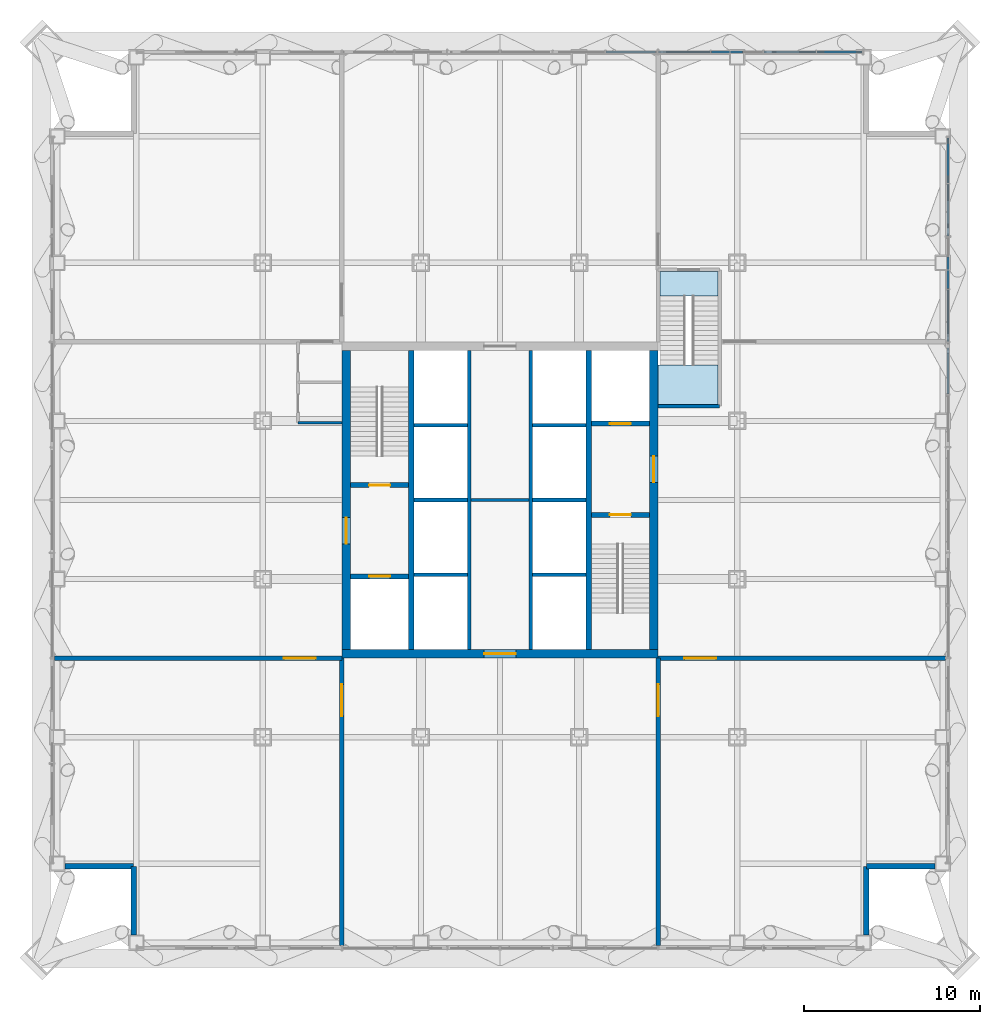
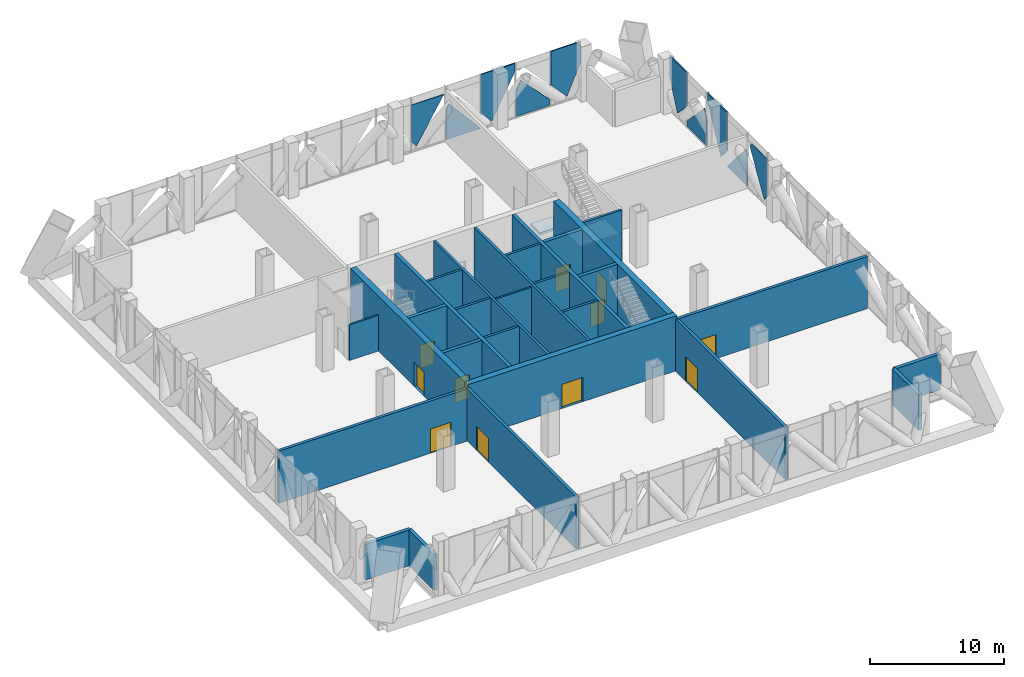
# One storey, part 14 of 26: 28 walls, 11 doors, 10 plates, 2 slabs, 11 openings, 3 elements without a shape of their own.
"""IFC4 building model written with IfcOpenShell, lengths in metres."""

import ifcopenshell
import ifcopenshell.guid

model = None  # the IFC model being written
_history = None  # IfcOwnerHistory: only IFC2X3 demands one
_inside = {}  # id of a spatial element -> (the spatial element, [elements in it])
_under = {}  # id of a project, library or spatial element -> (it, [spatial elements below it])
_declared = {}  # id of a project -> (the project, [libraries it declares])
_typed = {}  # id of a type object -> (the type object, [elements of that type])
_made_of = {}  # id of a material, layer set ... -> (it, [elements and type objects made of it])


def new_model(schema):
    """Start an empty IFC model of exactly this schema.

    Asked for "IFC4X3", IfcOpenShell would pick the latest addendum, in which some entities
    have other attributes; the version numbers below select the first issue.
    IFC2X3 requires an IfcOwnerHistory on every rooted entity: one is made here for all.
    """
    global model, _history
    if schema == "IFC4X3":
        model = ifcopenshell.file(schema_version=(4, 3, 0, 0))
    else:
        model = ifcopenshell.file(schema=schema)
    _inside.clear()
    _under.clear()
    _declared.clear()
    _typed.clear()
    _made_of.clear()
    _history = None
    if model.schema == "IFC2X3":
        org = make("IfcOrganization", Name="unknown")
        user = make(
            "IfcPersonAndOrganization",
            ThePerson=make("IfcPerson", FamilyName="unknown"),
            TheOrganization=org,
        )
        app = make(
            "IfcApplication",
            ApplicationDeveloper=org,
            Version="unknown",
            ApplicationFullName="unknown",
            ApplicationIdentifier="unknown",
        )
        _history = make(
            "IfcOwnerHistory",
            OwningUser=user,
            OwningApplication=app,
            ChangeAction="ADDED",
            CreationDate=0,
        )
    return model


def make(cls, **values):
    """One entity of the class cls with the attributes given. An attribute that is None is left unset."""
    return model.create_entity(
        cls, **{name: value for name, value in values.items() if value is not None}
    )


def rooted(cls, **values):
    """An entity with a GlobalId (a new one), such as an element, a storey or a relation."""
    return make(cls, GlobalId=ifcopenshell.guid.new(), OwnerHistory=_history, **values)


def si_unit(unit_type, name, prefix=None):
    """IfcSIUnit, for example si_unit("LENGTHUNIT", "METRE", prefix="MILLI")."""
    return make("IfcSIUnit", UnitType=unit_type, Prefix=prefix, Name=name)


def assignment(units):
    """IfcUnitAssignment: the units of a project."""
    return None if units is None else make("IfcUnitAssignment", Units=units)


def point(xyz):
    """IfcCartesianPoint."""
    return None if xyz is None else make("IfcCartesianPoint", Coordinates=xyz)


def direction(xyz):
    """IfcDirection."""
    return None if xyz is None else make("IfcDirection", DirectionRatios=xyz)


def frame(location, z_axis=None, x_axis=None):
    """IfcAxis2Placement3D, a coordinate frame: its origin and axes. An axis left out is left unset."""
    return make(
        "IfcAxis2Placement3D",
        Location=point(location),
        Axis=direction(z_axis),
        RefDirection=direction(x_axis),
    )


def frame_2d(location, x_axis=None):
    """IfcAxis2Placement2D, a coordinate frame in the plane: its origin and x axis."""
    return make(
        "IfcAxis2Placement2D", Location=point(location), RefDirection=direction(x_axis)
    )


def origin():
    """The frame at (0, 0, 0) with its axes left unset."""
    return frame((0.0, 0.0, 0.0))


def place(relative_to, where):
    """IfcLocalPlacement: puts the frame where relative to a parent placement (None: the world)."""
    return make(
        "IfcLocalPlacement", PlacementRelTo=relative_to, RelativePlacement=where
    )


def context(
    kind, dimensions, precision=None, world=None, true_north=None, identifier=None
):
    """IfcGeometricRepresentationContext, for example the 3D "Model" context."""
    return make(
        "IfcGeometricRepresentationContext",
        ContextIdentifier=identifier,
        ContextType=kind,
        CoordinateSpaceDimension=dimensions,
        Precision=precision,
        WorldCoordinateSystem=world,
        TrueNorth=true_north,
    )


def subcontext(parent, identifier, kind, view, scale=None):
    """IfcGeometricRepresentationSubContext, for example "Body" below "Model"."""
    return make(
        "IfcGeometricRepresentationSubContext",
        ContextIdentifier=identifier,
        ContextType=kind,
        ParentContext=parent,
        TargetScale=scale,
        TargetView=view,
    )


def project(units=None, contexts=None):
    """IfcProject with its units and contexts."""
    return rooted(
        "IfcProject",
        Name="project",
        RepresentationContexts=contexts,
        UnitsInContext=assignment(units),
    )


def spatial(cls, under=None, at=None, **own):
    """A site, building, storey or space (cls), placed at a placement, below another one or the project."""
    s = rooted(cls, ObjectPlacement=at, **own)
    if under is not None:
        _under.setdefault(under.id(), (under, []))[1].append(s)
    return s


def polyline(points):
    """IfcPolyline through the points."""
    return make("IfcPolyline", Points=[point(p) for p in points])


def profile(cls, at=None, kind="AREA", **sizes):
    """A parametric profile (cls). Its sizes go by their IFC names, for example OverallWidth=200.0."""
    return make(cls, ProfileType=kind, Position=at, **sizes)


def rectangle(**sizes):
    """IfcRectangleProfileDef."""
    return profile("IfcRectangleProfileDef", **sizes)


def outline(outer, holes=None, kind="AREA"):
    """IfcArbitraryClosedProfileDef: a profile drawn as a closed curve; with holes, ...WithVoids."""
    if holes is None:
        return make("IfcArbitraryClosedProfileDef", ProfileType=kind, OuterCurve=outer)
    return make(
        "IfcArbitraryProfileDefWithVoids",
        ProfileType=kind,
        OuterCurve=outer,
        InnerCurves=holes,
    )


def extrude(swept, where, along, depth):
    """IfcExtrudedAreaSolid: the profile swept, set in the frame where, extruded along a direction by depth."""
    return make(
        "IfcExtrudedAreaSolid",
        SweptArea=swept,
        Position=where,
        ExtrudedDirection=direction(along),
        Depth=depth,
    )


def shape(context_of_items, identifier, shape_type, items):
    """IfcShapeRepresentation: the items that make up one representation, for example the "Body"."""
    return make(
        "IfcShapeRepresentation",
        ContextOfItems=context_of_items,
        RepresentationIdentifier=identifier,
        RepresentationType=shape_type,
        Items=items,
    )


def material(Name=None, Category=None):
    """IfcMaterial."""
    return make("IfcMaterial", Name=Name, Category=Category)


def layer(
    of_material, thickness, ventilated=None, Name=None, Category=None, Priority=None
):
    """IfcMaterialLayer: one layer of a wall or slab, of a material (None: an air gap)."""
    return make(
        "IfcMaterialLayer",
        Material=of_material,
        LayerThickness=thickness,
        IsVentilated=ventilated,
        Name=Name,
        Category=Category,
        Priority=Priority,
    )


def layer_set(layers, Name=None):
    """IfcMaterialLayerSet."""
    return make("IfcMaterialLayerSet", MaterialLayers=layers, LayerSetName=Name)


def made_of(thing, what):
    """Note that an element or type object is made of a material, layer set ...; save() writes the relation."""
    if what is not None:
        _made_of.setdefault(what.id(), (what, []))[1].append(thing)
    return thing


def type_object(cls, material=None, **own):
    """A type object (cls), such as IfcWallType, which elements share."""
    return made_of(rooted(cls, **own), material)


def element(
    cls,
    number,
    at=None,
    inside=None,
    cuts=None,
    type_object=None,
    material=None,
    context=None,
    identifier="Body",
    shape_type=None,
    held_by="IfcProductDefinitionShape",
    body=None,
    shapes=None,
    **own,
):
    """One element of the class cls, such as IfcWall. Its Tag is "e" and its number.

    at: its placement. inside: the storey or other place that contains it. cuts: it is an
    opening in that element (IfcRelVoidsElement). A single representation is given by context,
    identifier, shape_type and body (its items); several are given by shapes. held_by: the class
    of the entity that holds the representations. save() writes the other relations.
    """
    e = rooted(cls, Tag="e%d" % number, ObjectPlacement=at, **own)
    if body is not None:
        shapes = [shape(context, identifier, shape_type, body)]
    if shapes is not None:
        e.Representation = make(held_by, Representations=shapes)
    if inside is not None:
        _inside.setdefault(inside.id(), (inside, []))[1].append(e)
    if cuts is not None:
        rooted(
            "IfcRelVoidsElement", RelatingBuildingElement=cuts, RelatedOpeningElement=e
        )
    if type_object is not None:
        _typed.setdefault(type_object.id(), (type_object, []))[1].append(e)
    return made_of(e, material)


def fill(opening, filler):
    """IfcRelFillsElement: the door or window that sits in an opening."""
    return rooted(
        "IfcRelFillsElement",
        RelatingOpeningElement=opening,
        RelatedBuildingElement=filler,
    )


def aggregate(whole, parts):
    """IfcRelAggregates: a whole, such as a stair, and the parts it consists of."""
    return rooted("IfcRelAggregates", RelatingObject=whole, RelatedObjects=parts)


def save(model, path):
    """Write the relations noted so far, then the file.

    IfcRelAggregates (storeys below a building ...), IfcRelContainedInSpatialStructure (elements
    in a storey), IfcRelDefinesByType, IfcRelAssociatesMaterial and IfcRelDeclares: one each for
    every whole, place, type object, material and project.
    """
    for whole, parts in _under.values():
        aggregate(whole, parts)
    for where, things in _inside.values():
        rooted(
            "IfcRelContainedInSpatialStructure",
            RelatedElements=things,
            RelatingStructure=where,
        )
    for kind, things in _typed.values():
        rooted("IfcRelDefinesByType", RelatedObjects=things, RelatingType=kind)
    for what, things in _made_of.values():
        rooted("IfcRelAssociatesMaterial", RelatedObjects=things, RelatingMaterial=what)
    for by, libraries in _declared.values():
        rooted("IfcRelDeclares", RelatingContext=by, RelatedDefinitions=libraries)
    model.write(path)


model = new_model("IFC4")

# Units and contexts
model_context = context("Model", 3, precision=1e-05, world=origin(), true_north=direction((0.0, 1.0)))
body_context = subcontext(model_context, "Body", "Model", "MODEL_VIEW")
ifc_project = project(units=[si_unit("LENGTHUNIT", "METRE"), si_unit("AREAUNIT", "SQUARE_METRE"), si_unit("VOLUMEUNIT", "CUBIC_METRE"), si_unit("PLANEANGLEUNIT", "RADIAN"), si_unit("MASSUNIT", "GRAM", prefix="KILO")], contexts=[model_context])

# Site, building, storey
site_placement = place(None, origin())
site = spatial("IfcSite", under=ifc_project, at=site_placement, CompositionType="ELEMENT")
building_placement = place(site_placement, origin())
building = spatial("IfcBuilding", under=site, at=building_placement, Name="Malebo Sky Hospital", CompositionType="ELEMENT")
storey_placement = place(building_placement, frame((0.0, 0.0, 95.0)))
storey = spatial("IfcBuildingStorey", under=building, at=storey_placement, Name="L22", CompositionType="ELEMENT", Elevation=95.0)

# Curtain wall, plates
ifc_material_1 = material(Name="Anodised aluminium, natural silver", Category="aluminium")
ifc_layer_1 = layer(ifc_material_1, 0.25)
ifc_layer_set_1 = layer_set([ifc_layer_1], Name="PLANT LOUVRE SCREEN")
curtain_wall_type = type_object("IfcCurtainWallType", Name="PLANT LOUVRE SCREEN", PredefinedType="NOTDEFINED", material=ifc_layer_set_1)
curtain_wall_1_placement = place(storey_placement, origin())
curtain_wall_1 = element("IfcCurtainWall", 1, at=curtain_wall_1_placement, inside=storey, type_object=curtain_wall_type, Name="PLANT curtain wall N", PredefinedType="NOTDEFINED")
ifc_layer_2 = layer(ifc_material_1, 0.10009765625)
ifc_layer_set_2 = layer_set([ifc_layer_2], Name="LOUVRE PANEL 100")
plate_type = type_object("IfcPlateType", Name="LOUVRE PANEL 100", PredefinedType="CURTAIN_PANEL", material=ifc_layer_set_2)
plate_1_placement = place(storey_placement, frame((67.437255859375, 87.5, 0.4189453125), z_axis=(0.0, 0.0, 1.0), x_axis=(1.0, 0.0, 0.0)))
plate_1 = element("IfcPlate", 2, at=plate_1_placement, type_object=plate_type, Name="Panel 10", PredefinedType="CURTAIN_PANEL", context=body_context, shape_type="SweptSolid", body=[
    extrude(outline(polyline([(-0.959716796875, 0.0), (1.39990234375, 3.88818359375), (-1.39990234375, 3.88818359375), (-1.39990234375, 0.567626953125), (-0.959716796875, 0.0)])), frame((0.0, 0.050048828125, 0.0), z_axis=(0.0, -1.0, 0.0), x_axis=(1.0, 0.0, 0.0)), (0.0, 0.0, 1.0), 0.10009765625),
])
plate_2_placement = place(storey_placement, frame((70.5, 87.5, 0.10009765625), z_axis=(0.0, 0.0, 1.0), x_axis=(1.0, 0.0, 0.0)))
plate_2 = element("IfcPlate", 3, at=plate_2_placement, type_object=plate_type, Name="Panel 11", PredefinedType="CURTAIN_PANEL", context=body_context, shape_type="SweptSolid", body=[
    extrude(outline(polyline([(-1.46240234375, 0.0), (1.46240234375, 0.0), (1.46240234375, 0.055419921875), (-1.20849609375, 3.162841796875), (-1.46240234375, 2.744140625), (-1.46240234375, 0.0)])), frame((0.0, 0.050048828125, 0.0), z_axis=(0.0, -1.0, 0.0), x_axis=(1.0, 0.0, 0.0)), (0.0, 0.0, 1.0), 0.10009765625),
])
plate_3_placement = place(storey_placement, frame((73.5, 87.5, 0.41943359375), z_axis=(0.0, 0.0, 1.0), x_axis=(1.0, 0.0, 0.0)))
plate_3 = element("IfcPlate", 4, at=plate_3_placement, type_object=plate_type, Name="Panel 12", PredefinedType="CURTAIN_PANEL", context=body_context, shape_type="SweptSolid", body=[
    extrude(outline(polyline([(-0.544189453125, 0.0), (1.46240234375, 3.8408203125), (1.46240234375, 4.570556640625), (-1.46240234375, 4.570556640625), (-1.46240234375, 1.068603515625), (-0.544189453125, 0.0)])), frame((0.0, 0.050048828125, 0.0), z_axis=(0.0, -1.0, 0.0), x_axis=(1.0, 0.0, 0.0)), (0.0, 0.0, 1.0), 0.10009765625),
])
plate_4_placement = place(storey_placement, frame((76.5, 87.5, 0.10009765625), z_axis=(0.0, 0.0, 1.0), x_axis=(1.0, 0.0, 0.0)))
plate_4 = element("IfcPlate", 5, at=plate_4_placement, type_object=plate_type, Name="Panel 13", PredefinedType="CURTAIN_PANEL", context=body_context, shape_type="SweptSolid", body=[
    extrude(outline(polyline([(-1.46240234375, 0.0), (1.46240234375, 0.0), (1.46240234375, 0.537109375), (-1.0146484375, 3.16162109375), (-1.46240234375, 2.304443359375), (-1.46240234375, 0.0)])), frame((0.0, 0.050048828125, 0.0), z_axis=(0.0, -1.0, 0.0), x_axis=(1.0, 0.0, 0.0)), (0.0, 0.0, 1.0), 0.10009765625),
])
plate_5_placement = place(storey_placement, frame((79.331298828125, 87.5, 0.41943359375), z_axis=(0.0, 0.0, 1.0), x_axis=(1.0, 0.0, 0.0)))
plate_5 = element("IfcPlate", 6, at=plate_5_placement, type_object=plate_type, Name="Panel 14", PredefinedType="CURTAIN_PANEL", context=body_context, shape_type="SweptSolid", body=[
    extrude(outline(polyline([(0.10400390625, 0.0), (1.293701171875, 2.715087890625), (1.293701171875, 4.570556640625), (-1.293701171875, 4.570556640625), (-1.293701171875, 1.481201171875), (0.10400390625, 0.0)])), frame((0.0, 0.050048828125, 0.0), z_axis=(0.0, -1.0, 0.0), x_axis=(1.0, 0.0, 0.0)), (0.0, 0.0, 1.0), 0.10009765625),
])
aggregate(curtain_wall_1, [plate_1, plate_2, plate_3, plate_4, plate_5])

curtain_wall_2_placement = place(storey_placement, origin())
curtain_wall_2 = element("IfcCurtainWall", 7, at=curtain_wall_2_placement, inside=storey, type_object=curtain_wall_type, Name="PLANT curtain wall E", PredefinedType="NOTDEFINED")
plate_6_placement = place(storey_placement, frame((85.5, 81.331298828125, 0.41943359375), z_axis=(0.0, 0.0, 1.0), x_axis=(0.0, -1.0, 0.0)))
plate_6 = element("IfcPlate", 8, at=plate_6_placement, type_object=plate_type, Name="Panel 1", PredefinedType="CURTAIN_PANEL", context=body_context, shape_type="SweptSolid", body=[
    extrude(outline(polyline([(-0.10400390625, 0.0), (1.293701171875, 1.481201171875), (1.293701171875, 4.570556640625), (-1.293701171875, 4.570556640625), (-1.293701171875, 2.715087890625), (-0.10400390625, 0.0)])), frame((0.0, 0.050048828125, 0.0), z_axis=(0.0, -1.0, 0.0), x_axis=(1.0, 0.0, 0.0)), (0.0, 0.0, 1.0), 0.10009765625),
])
plate_7_placement = place(storey_placement, frame((85.5, 78.5, 0.10009765625), z_axis=(0.0, 0.0, 1.0), x_axis=(0.0, -1.0, 0.0)))
plate_7 = element("IfcPlate", 9, at=plate_7_placement, type_object=plate_type, Name="Panel 2", PredefinedType="CURTAIN_PANEL", context=body_context, shape_type="SweptSolid", body=[
    extrude(outline(polyline([(-1.46240234375, 0.0), (1.46240234375, 0.0), (1.46240234375, 2.304443359375), (1.0146484375, 3.16162109375), (-1.46240234375, 0.537109375), (-1.46240234375, 0.0)])), frame((0.0, 0.050048828125, 0.0), z_axis=(0.0, -1.0, 0.0), x_axis=(1.0, 0.0, 0.0)), (0.0, 0.0, 1.0), 0.10009765625),
])
plate_8_placement = place(storey_placement, frame((85.5, 75.5, 0.41943359375), z_axis=(0.0, 0.0, 1.0), x_axis=(0.0, -1.0, 0.0)))
plate_8 = element("IfcPlate", 10, at=plate_8_placement, type_object=plate_type, Name="Panel 3", PredefinedType="CURTAIN_PANEL", context=body_context, shape_type="SweptSolid", body=[
    extrude(outline(polyline([(0.544189453125, 0.0), (1.46240234375, 1.068603515625), (1.46240234375, 4.570556640625), (-1.46240234375, 4.570556640625), (-1.46240234375, 3.8408203125), (0.544189453125, 0.0)])), frame((0.0, 0.050048828125, 0.0), z_axis=(0.0, -1.0, 0.0), x_axis=(1.0, 0.0, 0.0)), (0.0, 0.0, 1.0), 0.10009765625),
])
plate_9_placement = place(storey_placement, frame((85.5, 72.5, 0.10009765625), z_axis=(0.0, 0.0, 1.0), x_axis=(0.0, -1.0, 0.0)))
plate_9 = element("IfcPlate", 11, at=plate_9_placement, type_object=plate_type, Name="Panel 4", PredefinedType="CURTAIN_PANEL", context=body_context, shape_type="SweptSolid", body=[
    extrude(outline(polyline([(-1.46240234375, 0.0), (1.46240234375, 0.0), (1.46240234375, 2.744140625), (1.20849609375, 3.162841796875), (-1.46240234375, 0.055419921875), (-1.46240234375, 0.0)])), frame((0.0, 0.050048828125, 0.0), z_axis=(0.0, -1.0, 0.0), x_axis=(1.0, 0.0, 0.0)), (0.0, 0.0, 1.0), 0.10009765625),
])
plate_10_placement = place(storey_placement, frame((85.5, 69.345703125, 0.4189453125), z_axis=(0.0, 0.0, 1.0), x_axis=(0.0, -1.0, 0.0)))
plate_10 = element("IfcPlate", 12, at=plate_10_placement, type_object=plate_type, Name="Panel 5", PredefinedType="CURTAIN_PANEL", context=body_context, shape_type="SweptSolid", body=[
    extrude(outline(polyline([(0.867919921875, 0.0), (1.30810546875, 0.567626953125), (1.30810546875, 3.9189453125), (-1.021728515625, 3.9189453125), (-1.30810546875, 3.5859375), (0.867919921875, 0.0)])), frame((0.0, 0.050048828125, 0.0), z_axis=(0.0, -1.0, 0.0), x_axis=(1.0, 0.0, 0.0)), (0.0, 0.0, 1.0), 0.10009765625),
])
aggregate(curtain_wall_2, [plate_6, plate_7, plate_8, plate_9, plate_10])

# Stair, slabs
ifc_material_2 = material(Name="Concrete C40/50", Category="concrete")
stair_type = type_object("IfcStairType", Name="HALF-TURN STAIR 1400 R167", PredefinedType="HALF_TURN_STAIR", material=ifc_material_2)
stair_placement = place(storey_placement, origin())
stair = element("IfcStair", 13, at=stair_placement, inside=storey, type_object=stair_type, Name="Stair S3 L22 type ST1B", PredefinedType="HALF_TURN_STAIR")
ifc_layer_3 = layer(ifc_material_2, 0.199951171875)
ifc_layer_set_3 = layer_set([ifc_layer_3], Name="STAIR LANDING 200")
slab_type = type_object("IfcSlabType", Name="STAIR LANDING 200", PredefinedType="LANDING", material=ifc_layer_set_3)
slab_1_placement = place(storey_placement, frame((0.0, 0.0, -0.199951171875)))
slab_1 = element("IfcSlab", 14, at=slab_1_placement, type_object=slab_type, Name="S3 landing 1", PredefinedType="LANDING", context=body_context, shape_type="SweptSolid", body=[
    extrude(outline(polyline([(69.10009765625, 73.60009765625), (72.39990234375, 73.60009765625), (72.39990234375, 75.0), (69.10009765625, 75.0), (69.10009765625, 73.60009765625)])), origin(), (0.0, 0.0, 1.0), 0.199951171875),
])
slab_2_placement = place(storey_placement, frame((0.0, 0.0, 2.300048828125)))
slab_2 = element("IfcSlab", 15, at=slab_2_placement, type_object=slab_type, Name="S3 landing 2", PredefinedType="LANDING", context=body_context, shape_type="SweptSolid", body=[
    extrude(outline(polyline([(69.0, 67.449951171875), (72.39990234375, 67.449951171875), (72.39990234375, 69.679931640625), (69.0, 69.679931640625), (69.0, 67.449951171875)])), origin(), (0.0, 0.0, 1.0), 0.199951171875),
])
aggregate(stair, [slab_1, slab_2])

# Walls
ifc_material_3 = material(Name="Concrete C80/95", Category="concrete")
ifc_layer_4 = layer(ifc_material_3, 0.199951171875)
ifc_layer_set_4 = layer_set([ifc_layer_4], Name="CORE INNER WALL 200")
wall_type_1 = type_object("IfcWallType", Name="CORE INNER WALL 200", PredefinedType="SHEAR", material=ifc_layer_set_4)
for number, where, z_axis, x_axis, name in (
    (16, (58.25, 53.5, 0.0), (0.0, 0.0, 1.0), (0.0, 1.0, 0.0), "Core wall LW L22"),
    (17, (61.75, 53.5, 0.0), (0.0, 0.0, 1.0), (0.0, 1.0, 0.0), "Core wall LE L22"),
):
    element("IfcWall", number, at=place(storey_placement, frame(where, z_axis=z_axis, x_axis=x_axis)), inside=storey, type_object=wall_type_1, Name=name, PredefinedType="SHEAR", context=body_context, shape_type="SweptSolid", body=[
        extrude(rectangle(XDim=17.0, YDim=0.199951171875, at=frame_2d((8.5, 0.0))), origin(), (0.0, 0.0, 1.0), 5.0),
    ])
for number, where, z_axis, x_axis, name in (
    (18, (55.10009765625, 57.75, 0.0), (0.0, 0.0, 1.0), (1.0, 0.0, 0.0), "Core wall SW0 L22"),
    (19, (61.85009765625, 57.75, 0.0), (0.0, 0.0, 1.0), (1.0, 0.0, 0.0), "Core wall SE0 L22"),
    (20, (55.10009765625, 62.0, 0.0), (0.0, 0.0, 1.0), (1.0, 0.0, 0.0), "Core wall SW1 L22"),
    (21, (61.85009765625, 62.0, 0.0), (0.0, 0.0, 1.0), (1.0, 0.0, 0.0), "Core wall SE1 L22"),
    (22, (55.10009765625, 66.25, 0.0), (0.0, 0.0, 1.0), (1.0, 0.0, 0.0), "Core wall SW2 L22"),
    (23, (61.85009765625, 66.25, 0.0), (0.0, 0.0, 1.0), (1.0, 0.0, 0.0), "Core wall SE2 L22"),
):
    element("IfcWall", number, at=place(storey_placement, frame(where, z_axis=z_axis, x_axis=x_axis)), inside=storey, type_object=wall_type_1, Name=name, PredefinedType="SHEAR", context=body_context, shape_type="SweptSolid", body=[
        extrude(rectangle(XDim=3.0498046875, YDim=0.199951171875, at=frame_2d((1.52490234375, 0.0))), origin(), (0.0, 0.0, 1.0), 5.0),
    ])
ifc_layer_5 = layer(ifc_material_3, 0.300048828125)
ifc_layer_set_5 = layer_set([ifc_layer_5], Name="CORE INNER WALL 300")
wall_type_2 = type_object("IfcWallType", Name="CORE INNER WALL 300", PredefinedType="SHEAR", material=ifc_layer_set_5)
for number, where, z_axis, x_axis, name in (
    (24, (54.949951171875, 53.5, 0.0), (0.0, 0.0, 1.0), (0.0, 1.0, 0.0), "Core wall XW L22"),
    (25, (65.050048828125, 53.5, 0.0), (0.0, 0.0, 1.0), (0.0, 1.0, 0.0), "Core wall XE L22"),
):
    element("IfcWall", number, at=place(storey_placement, frame(where, z_axis=z_axis, x_axis=x_axis)), inside=storey, type_object=wall_type_2, Name=name, PredefinedType="SHEAR", context=body_context, shape_type="SweptSolid", body=[
        extrude(rectangle(XDim=17.0, YDim=0.300048828125, at=frame_2d((8.5, 0.0))), origin(), (0.0, 0.0, 1.0), 5.0),
    ])

# Wall, opening, door
wall_1_placement = place(storey_placement, frame((51.5, 62.85009765625, 0.0), z_axis=(0.0, 0.0, 1.0), x_axis=(1.0, 0.0, 0.0)))
wall_1 = element("IfcWall", 26, at=wall_1_placement, inside=storey, type_object=wall_type_2, Name="Core wall W1 L22", PredefinedType="SHEAR", context=body_context, shape_type="SweptSolid", body=[
    extrude(rectangle(XDim=3.300048828125, YDim=0.300048828125, at=frame_2d((1.64990234375, 0.0))), origin(), (0.0, 0.0, 1.0), 5.0),
])
opening_1_placement = place(wall_1_placement, frame((1.050048828125, 0.0, 0.0)))
opening_1 = element("IfcOpeningElement", 27, at=opening_1_placement, cuts=wall_1, Name="Opening D08", PredefinedType="OPENING", context=body_context, shape_type="SweptSolid", body=[
    extrude(rectangle(XDim=1.199951171875, YDim=2.10009765625, at=frame_2d((0.60009765625, 1.050048828125))), frame((0.0, 0.159912109375, 0.0), z_axis=(0.0, -1.0, 0.0), x_axis=(1.0, 0.0, 0.0)), (0.0, 0.0, 1.0), 0.320068359375),
])
ifc_material_4 = material(Name="Hardwood-faced door leaf in steel frame", Category="steel")
door_type_1 = type_object("IfcDoorType", Name="STAIR DOOR 1200", OperationType="SINGLE_SWING_LEFT", PredefinedType="DOOR", material=ifc_material_4)
door_1_placement = place(opening_1_placement, origin())
door_1 = element("IfcDoor", 28, at=door_1_placement, inside=storey, type_object=door_type_1, Name="Stair S1 door", OperationType="SINGLE_SWING_LEFT", OverallHeight=2.10009765625, OverallWidth=1.199951171875, PredefinedType="DOOR", context=body_context, shape_type="SweptSolid", body=[
    extrude(rectangle(XDim=1.199951171875, YDim=2.10009765625, at=frame_2d((0.60009765625, 1.050048828125))), frame((0.0, 0.02490234375, 0.0), z_axis=(0.0, -1.0, 0.0), x_axis=(1.0, 0.0, 0.0)), (0.0, 0.0, 1.0), 0.050048828125),
])
fill(opening_1, door_1)

wall_2_placement = place(storey_placement, frame((51.5, 57.64990234375, 0.0), z_axis=(0.0, 0.0, 1.0), x_axis=(1.0, 0.0, 0.0)))
wall_2 = element("IfcWall", 29, at=wall_2_placement, inside=storey, type_object=wall_type_2, Name="Core wall W2 L22", PredefinedType="SHEAR", context=body_context, shape_type="SweptSolid", body=[
    extrude(rectangle(XDim=3.300048828125, YDim=0.300048828125, at=frame_2d((1.64990234375, 0.0))), origin(), (0.0, 0.0, 1.0), 5.0),
])
opening_2_placement = place(wall_2_placement, frame((1.050048828125, 0.0, 0.0)))
opening_2 = element("IfcOpeningElement", 30, at=opening_2_placement, cuts=wall_2, Name="Opening LD2", PredefinedType="OPENING", context=body_context, shape_type="SweptSolid", body=[
    extrude(rectangle(XDim=1.199951171875, YDim=2.199951171875, at=frame_2d((0.60009765625, 1.10009765625))), frame((0.0, 0.159912109375, 0.0), z_axis=(0.0, -1.0, 0.0), x_axis=(1.0, 0.0, 0.0)), (0.0, 0.0, 1.0), 0.320068359375),
])
ifc_material_5 = material(Name="Stainless steel sliding landing door", Category="steel")
door_type_2 = type_object("IfcDoorType", Name="FIRE-FIGHTING LIFT LANDING DOOR 1200", OperationType="SLIDING_TO_LEFT", PredefinedType="DOOR", material=ifc_material_5)
door_2_placement = place(opening_2_placement, origin())
door_2 = element("IfcDoor", 31, at=door_2_placement, inside=storey, type_object=door_type_2, Name="Lift FL1 landing door", OperationType="SLIDING_TO_LEFT", OverallHeight=2.199951171875, OverallWidth=1.199951171875, PredefinedType="DOOR", context=body_context, shape_type="SweptSolid", body=[
    extrude(rectangle(XDim=1.199951171875, YDim=2.199951171875, at=frame_2d((0.60009765625, 1.10009765625))), frame((0.0, 0.02490234375, 0.0), z_axis=(0.0, -1.0, 0.0), x_axis=(1.0, 0.0, 0.0)), (0.0, 0.0, 1.0), 0.050048828125),
])
fill(opening_2, door_2)

wall_3_placement = place(storey_placement, frame((65.199951171875, 61.14990234375, 0.0), z_axis=(0.0, 0.0, 1.0), x_axis=(1.0, 0.0, 0.0)))
wall_3 = element("IfcWall", 32, at=wall_3_placement, inside=storey, type_object=wall_type_2, Name="Core wall E1 L22", PredefinedType="SHEAR", context=body_context, shape_type="SweptSolid", body=[
    extrude(rectangle(XDim=3.300048828125, YDim=0.300048828125, at=frame_2d((1.64990234375, 0.0))), origin(), (0.0, 0.0, 1.0), 5.0),
])
opening_3_placement = place(wall_3_placement, frame((1.050048828125, 0.0, 0.0)))
opening_3 = element("IfcOpeningElement", 33, at=opening_3_placement, cuts=wall_3, Name="Opening D08", PredefinedType="OPENING", context=body_context, shape_type="SweptSolid", body=[
    extrude(rectangle(XDim=1.199951171875, YDim=2.10009765625, at=frame_2d((0.60009765625, 1.050048828125))), frame((0.0, 0.159912109375, 0.0), z_axis=(0.0, -1.0, 0.0), x_axis=(1.0, 0.0, 0.0)), (0.0, 0.0, 1.0), 0.320068359375),
])
door_3_placement = place(opening_3_placement, origin())
door_3 = element("IfcDoor", 34, at=door_3_placement, inside=storey, type_object=door_type_1, Name="Stair S2 door", OperationType="SINGLE_SWING_LEFT", OverallHeight=2.10009765625, OverallWidth=1.199951171875, PredefinedType="DOOR", context=body_context, shape_type="SweptSolid", body=[
    extrude(rectangle(XDim=1.199951171875, YDim=2.10009765625, at=frame_2d((0.60009765625, 1.050048828125))), frame((0.0, 0.02490234375, 0.0), z_axis=(0.0, -1.0, 0.0), x_axis=(1.0, 0.0, 0.0)), (0.0, 0.0, 1.0), 0.050048828125),
])
fill(opening_3, door_3)

wall_4_placement = place(storey_placement, frame((65.199951171875, 66.35009765625, 0.0), z_axis=(0.0, 0.0, 1.0), x_axis=(1.0, 0.0, 0.0)))
wall_4 = element("IfcWall", 35, at=wall_4_placement, inside=storey, type_object=wall_type_2, Name="Core wall E2 L22", PredefinedType="SHEAR", context=body_context, shape_type="SweptSolid", body=[
    extrude(rectangle(XDim=3.300048828125, YDim=0.300048828125, at=frame_2d((1.64990234375, 0.0))), origin(), (0.0, 0.0, 1.0), 5.0),
])
opening_4_placement = place(wall_4_placement, frame((1.050048828125, 0.0, 0.0)))
opening_4 = element("IfcOpeningElement", 36, at=opening_4_placement, cuts=wall_4, Name="Opening LD2", PredefinedType="OPENING", context=body_context, shape_type="SweptSolid", body=[
    extrude(rectangle(XDim=1.199951171875, YDim=2.199951171875, at=frame_2d((0.60009765625, 1.10009765625))), frame((0.0, 0.159912109375, 0.0), z_axis=(0.0, -1.0, 0.0), x_axis=(1.0, 0.0, 0.0)), (0.0, 0.0, 1.0), 0.320068359375),
])
door_4_placement = place(opening_4_placement, origin())
door_4 = element("IfcDoor", 37, at=door_4_placement, inside=storey, type_object=door_type_2, Name="Lift FL2 landing door", OperationType="SLIDING_TO_LEFT", OverallHeight=2.199951171875, OverallWidth=1.199951171875, PredefinedType="DOOR", context=body_context, shape_type="SweptSolid", body=[
    extrude(rectangle(XDim=1.199951171875, YDim=2.199951171875, at=frame_2d((0.60009765625, 1.10009765625))), frame((0.0, 0.02490234375, 0.0), z_axis=(0.0, -1.0, 0.0), x_axis=(1.0, 0.0, 0.0)), (0.0, 0.0, 1.0), 0.050048828125),
])
fill(opening_4, door_4)

ifc_layer_6 = layer(ifc_material_3, 0.5)
ifc_layer_set_6 = layer_set([ifc_layer_6], Name="CORE WALL 500")
wall_type_3 = type_object("IfcWallType", Name="CORE WALL 500", PredefinedType="SHEAR", material=ifc_layer_set_6)
wall_5_placement = place(storey_placement, frame((51.0, 53.25, 0.0), z_axis=(0.0, 0.0, 1.0), x_axis=(1.0, 0.0, 0.0)))
wall_5 = element("IfcWall", 38, at=wall_5_placement, inside=storey, type_object=wall_type_3, Name="Core wall S L22", PredefinedType="SHEAR", context=body_context, shape_type="SweptSolid", body=[
    extrude(rectangle(XDim=18.0, YDim=0.5, at=frame_2d((9.0, 0.0))), origin(), (0.0, 0.0, 1.0), 5.0),
])
opening_5_placement = place(wall_5_placement, frame((8.10009765625, 0.0, 0.0)))
opening_5 = element("IfcOpeningElement", 39, at=opening_5_placement, cuts=wall_5, Name="Opening D06", PredefinedType="OPENING", context=body_context, shape_type="SweptSolid", body=[
    extrude(rectangle(XDim=1.800048828125, YDim=2.199951171875, at=frame_2d((0.89990234375, 1.10009765625))), frame((0.0, 0.260009765625, 0.0), z_axis=(0.0, -1.0, 0.0), x_axis=(1.0, 0.0, 0.0)), (0.0, 0.0, 1.0), 0.52001953125),
])
door_type_3 = type_object("IfcDoorType", Name="LOBBY DOOR PAIR 1800", OperationType="DOUBLE_DOOR_SINGLE_SWING", PredefinedType="DOOR", material=ifc_material_4)
door_5_placement = place(opening_5_placement, origin())
door_5 = element("IfcDoor", 40, at=door_5_placement, inside=storey, type_object=door_type_3, Name="Core plant room door", OperationType="DOUBLE_DOOR_SINGLE_SWING", OverallHeight=2.199951171875, OverallWidth=1.800048828125, PredefinedType="DOOR", context=body_context, shape_type="SweptSolid", body=[
    extrude(rectangle(XDim=1.800048828125, YDim=2.199951171875, at=frame_2d((0.89990234375, 1.10009765625))), frame((0.0, 0.02490234375, 0.0), z_axis=(0.0, -1.0, 0.0), x_axis=(1.0, 0.0, 0.0)), (0.0, 0.0, 1.0), 0.050048828125),
])
fill(opening_5, door_5)

wall_6_placement = place(storey_placement, frame((51.25, 53.5, 0.0), z_axis=(0.0, 0.0, 1.0), x_axis=(0.0, 1.0, 0.0)))
wall_6 = element("IfcWall", 41, at=wall_6_placement, inside=storey, type_object=wall_type_3, Name="Core wall W L22", PredefinedType="SHEAR", context=body_context, shape_type="SweptSolid", body=[
    extrude(rectangle(XDim=17.0, YDim=0.5, at=frame_2d((8.5, 0.0))), origin(), (0.0, 0.0, 1.0), 5.0),
])
opening_6_placement = place(wall_6_placement, frame((6.0, 0.0, 0.0)))
opening_6 = element("IfcOpeningElement", 42, at=opening_6_placement, cuts=wall_6, Name="Opening D07", PredefinedType="OPENING", context=body_context, shape_type="SweptSolid", body=[
    extrude(rectangle(XDim=1.5, YDim=2.199951171875, at=frame_2d((0.75, 1.10009765625))), frame((0.0, 0.260009765625, 0.0), z_axis=(0.0, -1.0, 0.0), x_axis=(1.0, 0.0, 0.0)), (0.0, 0.0, 1.0), 0.52001953125),
])
door_type_4 = type_object("IfcDoorType", Name="FIRE-FIGHTING LOBBY DOOR PAIR 1500", OperationType="DOUBLE_DOOR_SINGLE_SWING", PredefinedType="DOOR", material=ifc_material_4)
door_6_placement = place(opening_6_placement, origin())
door_6 = element("IfcDoor", 43, at=door_6_placement, inside=storey, type_object=door_type_4, Name="Fire-fighting lobby door west", OperationType="DOUBLE_DOOR_SINGLE_SWING", OverallHeight=2.199951171875, OverallWidth=1.5, PredefinedType="DOOR", context=body_context, shape_type="SweptSolid", body=[
    extrude(rectangle(XDim=1.5, YDim=2.199951171875, at=frame_2d((0.75, 1.10009765625))), frame((0.0, 0.02490234375, 0.0), z_axis=(0.0, -1.0, 0.0), x_axis=(1.0, 0.0, 0.0)), (0.0, 0.0, 1.0), 0.050048828125),
])
fill(opening_6, door_6)

wall_7_placement = place(storey_placement, frame((68.75, 53.5, 0.0), z_axis=(0.0, 0.0, 1.0), x_axis=(0.0, 1.0, 0.0)))
wall_7 = element("IfcWall", 44, at=wall_7_placement, inside=storey, type_object=wall_type_3, Name="Core wall E L22", PredefinedType="SHEAR", context=body_context, shape_type="SweptSolid", body=[
    extrude(rectangle(XDim=17.0, YDim=0.5, at=frame_2d((8.5, 0.0))), origin(), (0.0, 0.0, 1.0), 5.0),
])
opening_7_placement = place(wall_7_placement, frame((9.5, 0.0, 0.0)))
opening_7 = element("IfcOpeningElement", 45, at=opening_7_placement, cuts=wall_7, Name="Opening D07", PredefinedType="OPENING", context=body_context, shape_type="SweptSolid", body=[
    extrude(rectangle(XDim=1.5, YDim=2.199951171875, at=frame_2d((0.75, 1.10009765625))), frame((0.0, 0.260009765625, 0.0), z_axis=(0.0, -1.0, 0.0), x_axis=(1.0, 0.0, 0.0)), (0.0, 0.0, 1.0), 0.52001953125),
])
door_7_placement = place(opening_7_placement, origin())
door_7 = element("IfcDoor", 46, at=door_7_placement, inside=storey, type_object=door_type_4, Name="Fire-fighting lobby door east", OperationType="DOUBLE_DOOR_SINGLE_SWING", OverallHeight=2.199951171875, OverallWidth=1.5, PredefinedType="DOOR", context=body_context, shape_type="SweptSolid", body=[
    extrude(rectangle(XDim=1.5, YDim=2.199951171875, at=frame_2d((0.75, 1.10009765625))), frame((0.0, 0.02490234375, 0.0), z_axis=(0.0, -1.0, 0.0), x_axis=(1.0, 0.0, 0.0)), (0.0, 0.0, 1.0), 0.050048828125),
])
fill(opening_7, door_7)

# Walls
ifc_material_6 = material(Name="Anodised aluminium rainscreen on steel framing", Category="steel")
ifc_layer_7 = layer(ifc_material_6, 0.300048828125)
ifc_layer_set_7 = layer_set([ifc_layer_7], Name="NOTCH RAINSCREEN WALL 300")
wall_type_4 = type_object("IfcWallType", Name="NOTCH RAINSCREEN WALL 300", PredefinedType="ELEMENTEDWALL", material=ifc_layer_set_7)
for number, where, z_axis, x_axis, name in (
    (47, (39.14990234375, 37.25, 0.0), (0.0, 0.0, 1.0), (0.0, 1.0, 0.0), "Notch rainscreen wall S1 L22"),
    (48, (39.14990234375, 41.14990234375, 0.0), (0.0, 0.0, 1.0), (-1.0, 0.0, 0.0), "Notch rainscreen wall S2 L22"),
    (49, (84.75, 41.14990234375, 0.0), (0.0, 0.0, 1.0), (-1.0, 0.0, 0.0), "Notch rainscreen wall E1 L22"),
    (50, (80.85009765625, 41.14990234375, 0.0), (0.0, 0.0, 1.0), (0.0, -1.0, 0.0), "Notch rainscreen wall E2 L22"),
):
    element("IfcWall", number, at=place(storey_placement, frame(where, z_axis=z_axis, x_axis=x_axis)), inside=storey, type_object=wall_type_4, Name=name, PredefinedType="ELEMENTEDWALL", context=body_context, shape_type="SweptSolid", body=[
        extrude(rectangle(XDim=3.89990234375, YDim=0.300048828125, at=frame_2d((1.949951171875, 0.0))), origin(), (0.0, 0.0, 1.0), 3.25),
    ])
ifc_material_7 = material(Name="Gypsum board on steel studs", Category="steel")
ifc_layer_8 = layer(ifc_material_7, 0.14990234375)
ifc_layer_set_8 = layer_set([ifc_layer_8], Name="PARTITION 150")
wall_type_5 = type_object("IfcWallType", Name="PARTITION 150", PredefinedType="PARTITIONING", material=ifc_layer_set_8)
wall_8_placement = place(storey_placement, frame((51.0, 66.39990234375, 0.0), z_axis=(0.0, 0.0, 1.0), x_axis=(-1.0, 0.0, 0.0)))
element("IfcWall", 51, at=wall_8_placement, inside=storey, type_object=wall_type_5, Name="Partition 150 WCE", PredefinedType="PARTITIONING", context=body_context, shape_type="SweptSolid", body=[
    extrude(rectangle(XDim=2.5, YDim=0.14990234375, at=frame_2d((1.25, 0.0))), origin(), (0.0, 0.0, 1.0), 3.25),
])
wall_9_placement = place(storey_placement, frame((58.35009765625, 62.0, 0.0), z_axis=(0.0, 0.0, 1.0), x_axis=(1.0, 0.0, 0.0)))
element("IfcWall", 52, at=wall_9_placement, inside=storey, type_object=wall_type_5, Name="Partition 150 LB", PredefinedType="PARTITIONING", context=body_context, shape_type="SweptSolid", body=[
    extrude(rectangle(XDim=3.2998046875, YDim=0.14990234375, at=frame_2d((1.64990234375, 0.0))), origin(), (0.0, 0.0, 1.0), 4.75),
])

# Wall, opening, door
ifc_material_8 = material(Name="Concrete blockwork", Category="masonry")
ifc_layer_9 = layer(ifc_material_8, 0.25)
ifc_layer_set_9 = layer_set([ifc_layer_9], Name="PLANT ROOM WALL 250")
wall_type_6 = type_object("IfcWallType", Name="PLANT ROOM WALL 250", PredefinedType="SOLIDWALL", material=ifc_layer_set_9)
wall_10_placement = place(storey_placement, frame((51.0, 53.0, 0.0), z_axis=(0.0, 0.0, 1.0), x_axis=(-1.0, 0.0, 0.0)))
wall_10 = element("IfcWall", 53, at=wall_10_placement, inside=storey, type_object=wall_type_6, Name="Plant Room Wall 250 WP8", PredefinedType="SOLIDWALL", context=body_context, shape_type="SweptSolid", body=[
    extrude(rectangle(XDim=16.35009765625, YDim=0.25, at=frame_2d((8.175048828125, 0.0))), origin(), (0.0, 0.0, 1.0), 4.75),
])
opening_8_placement = place(wall_10_placement, frame((1.5, 0.0, 0.0)))
opening_8 = element("IfcOpeningElement", 54, at=opening_8_placement, cuts=wall_10, Name="Opening D09", PredefinedType="OPENING", context=body_context, shape_type="SweptSolid", body=[
    extrude(rectangle(XDim=1.800048828125, YDim=2.199951171875, at=frame_2d((0.89990234375, 1.10009765625))), frame((0.0, 0.135009765625, 0.0), z_axis=(0.0, -1.0, 0.0), x_axis=(1.0, 0.0, 0.0)), (0.0, 0.0, 1.0), 0.27001953125),
])
door_type_5 = type_object("IfcDoorType", Name="PLANT ROOM DOOR PAIR 1800", OperationType="DOUBLE_DOOR_SINGLE_SWING", PredefinedType="DOOR", material=ifc_material_4)
door_8_placement = place(opening_8_placement, origin())
door_8 = element("IfcDoor", 55, at=door_8_placement, inside=storey, type_object=door_type_5, Name="Refuge area west door", OperationType="DOUBLE_DOOR_SINGLE_SWING", OverallHeight=2.199951171875, OverallWidth=1.800048828125, PredefinedType="DOOR", context=body_context, shape_type="SweptSolid", body=[
    extrude(rectangle(XDim=1.800048828125, YDim=2.199951171875, at=frame_2d((0.89990234375, 1.10009765625))), frame((0.0, 0.02490234375, 0.0), z_axis=(0.0, -1.0, 0.0), x_axis=(1.0, 0.0, 0.0)), (0.0, 0.0, 1.0), 0.050048828125),
])
fill(opening_8, door_8)

wall_11_placement = place(storey_placement, frame((51.0, 53.0, 0.0), z_axis=(0.0, 0.0, 1.0), x_axis=(0.0, -1.0, 0.0)))
wall_11 = element("IfcWall", 56, at=wall_11_placement, inside=storey, type_object=wall_type_6, Name="Plant Room Wall 250 SP9", PredefinedType="SOLIDWALL", context=body_context, shape_type="SweptSolid", body=[
    extrude(rectangle(XDim=16.35009765625, YDim=0.25, at=frame_2d((8.175048828125, 0.0))), origin(), (0.0, 0.0, 1.0), 4.75),
])
opening_9_placement = place(wall_11_placement, frame((1.5, 0.0, 0.0)))
opening_9 = element("IfcOpeningElement", 57, at=opening_9_placement, cuts=wall_11, Name="Opening D09", PredefinedType="OPENING", context=body_context, shape_type="SweptSolid", body=[
    extrude(rectangle(XDim=1.800048828125, YDim=2.199951171875, at=frame_2d((0.89990234375, 1.10009765625))), frame((0.0, 0.135009765625, 0.0), z_axis=(0.0, -1.0, 0.0), x_axis=(1.0, 0.0, 0.0)), (0.0, 0.0, 1.0), 0.27001953125),
])
door_9_placement = place(opening_9_placement, origin())
door_9 = element("IfcDoor", 58, at=door_9_placement, inside=storey, type_object=door_type_5, Name="Electrical switch room door", OperationType="DOUBLE_DOOR_SINGLE_SWING", OverallHeight=2.199951171875, OverallWidth=1.800048828125, PredefinedType="DOOR", context=body_context, shape_type="SweptSolid", body=[
    extrude(rectangle(XDim=1.800048828125, YDim=2.199951171875, at=frame_2d((0.89990234375, 1.10009765625))), frame((0.0, 0.02490234375, 0.0), z_axis=(0.0, -1.0, 0.0), x_axis=(1.0, 0.0, 0.0)), (0.0, 0.0, 1.0), 0.050048828125),
])
fill(opening_9, door_9)

wall_12_placement = place(storey_placement, frame((69.0, 53.0, 0.0), z_axis=(0.0, 0.0, 1.0), x_axis=(0.0, -1.0, 0.0)))
wall_12 = element("IfcWall", 59, at=wall_12_placement, inside=storey, type_object=wall_type_6, Name="Plant Room Wall 250 SP8", PredefinedType="SOLIDWALL", context=body_context, shape_type="SweptSolid", body=[
    extrude(rectangle(XDim=16.35009765625, YDim=0.25, at=frame_2d((8.175048828125, 0.0))), origin(), (0.0, 0.0, 1.0), 4.75),
])
opening_10_placement = place(wall_12_placement, frame((1.5, 0.0, 0.0)))
opening_10 = element("IfcOpeningElement", 60, at=opening_10_placement, cuts=wall_12, Name="Opening D09", PredefinedType="OPENING", context=body_context, shape_type="SweptSolid", body=[
    extrude(rectangle(XDim=1.800048828125, YDim=2.199951171875, at=frame_2d((0.89990234375, 1.10009765625))), frame((0.0, 0.135009765625, 0.0), z_axis=(0.0, -1.0, 0.0), x_axis=(1.0, 0.0, 0.0)), (0.0, 0.0, 1.0), 0.27001953125),
])
door_10_placement = place(opening_10_placement, origin())
door_10 = element("IfcDoor", 61, at=door_10_placement, inside=storey, type_object=door_type_5, Name="Chilled water plant room door", OperationType="DOUBLE_DOOR_SINGLE_SWING", OverallHeight=2.199951171875, OverallWidth=1.800048828125, PredefinedType="DOOR", context=body_context, shape_type="SweptSolid", body=[
    extrude(rectangle(XDim=1.800048828125, YDim=2.199951171875, at=frame_2d((0.89990234375, 1.10009765625))), frame((0.0, 0.02490234375, 0.0), z_axis=(0.0, -1.0, 0.0), x_axis=(1.0, 0.0, 0.0)), (0.0, 0.0, 1.0), 0.050048828125),
])
fill(opening_10, door_10)

wall_13_placement = place(storey_placement, frame((69.0, 53.0, 0.0), z_axis=(0.0, 0.0, 1.0), x_axis=(1.0, 0.0, 0.0)))
wall_13 = element("IfcWall", 62, at=wall_13_placement, inside=storey, type_object=wall_type_6, Name="Plant Room Wall 250 EP9", PredefinedType="SOLIDWALL", context=body_context, shape_type="SweptSolid", body=[
    extrude(rectangle(XDim=16.35009765625, YDim=0.25, at=frame_2d((8.175048828125, 0.0))), origin(), (0.0, 0.0, 1.0), 4.75),
])
opening_11_placement = place(wall_13_placement, frame((1.5, 0.0, 0.0)))
opening_11 = element("IfcOpeningElement", 63, at=opening_11_placement, cuts=wall_13, Name="Opening D09", PredefinedType="OPENING", context=body_context, shape_type="SweptSolid", body=[
    extrude(rectangle(XDim=1.800048828125, YDim=2.199951171875, at=frame_2d((0.89990234375, 1.10009765625))), frame((0.0, 0.135009765625, 0.0), z_axis=(0.0, -1.0, 0.0), x_axis=(1.0, 0.0, 0.0)), (0.0, 0.0, 1.0), 0.27001953125),
])
door_11_placement = place(opening_11_placement, origin())
door_11 = element("IfcDoor", 64, at=door_11_placement, inside=storey, type_object=door_type_5, Name="Fire pump room door", OperationType="DOUBLE_DOOR_SINGLE_SWING", OverallHeight=2.199951171875, OverallWidth=1.800048828125, PredefinedType="DOOR", context=body_context, shape_type="SweptSolid", body=[
    extrude(rectangle(XDim=1.800048828125, YDim=2.199951171875, at=frame_2d((0.89990234375, 1.10009765625))), frame((0.0, 0.02490234375, 0.0), z_axis=(0.0, -1.0, 0.0), x_axis=(1.0, 0.0, 0.0)), (0.0, 0.0, 1.0), 0.050048828125),
])
fill(opening_11, door_11)

# Wall
ifc_layer_10 = layer(ifc_material_2, 0.199951171875)
ifc_layer_set_10 = layer_set([ifc_layer_10], Name="STAIR ENCLOSURE WALL 200")
wall_type_7 = type_object("IfcWallType", Name="STAIR ENCLOSURE WALL 200", PredefinedType="SOLIDWALL", material=ifc_layer_set_10)
wall_14_placement = place(storey_placement, frame((69.0, 67.35009765625, 0.0), z_axis=(0.0, 0.0, 1.0), x_axis=(1.0, 0.0, 0.0)))
element("IfcWall", 65, at=wall_14_placement, inside=storey, type_object=wall_type_7, Name="Stair Enclosure Wall 200 ST3S", PredefinedType="SOLIDWALL", context=body_context, shape_type="SweptSolid", body=[
    extrude(rectangle(XDim=3.5, YDim=0.199951171875, at=frame_2d((1.75, 0.0))), origin(), (0.0, 0.0, 1.0), 4.75),
])

save(model, "model.ifc")
